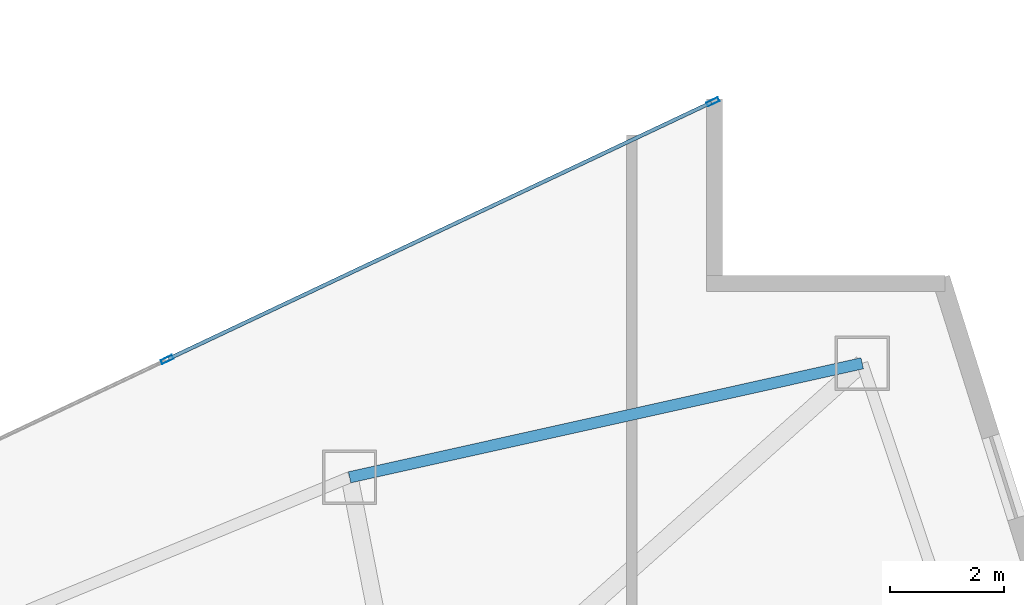
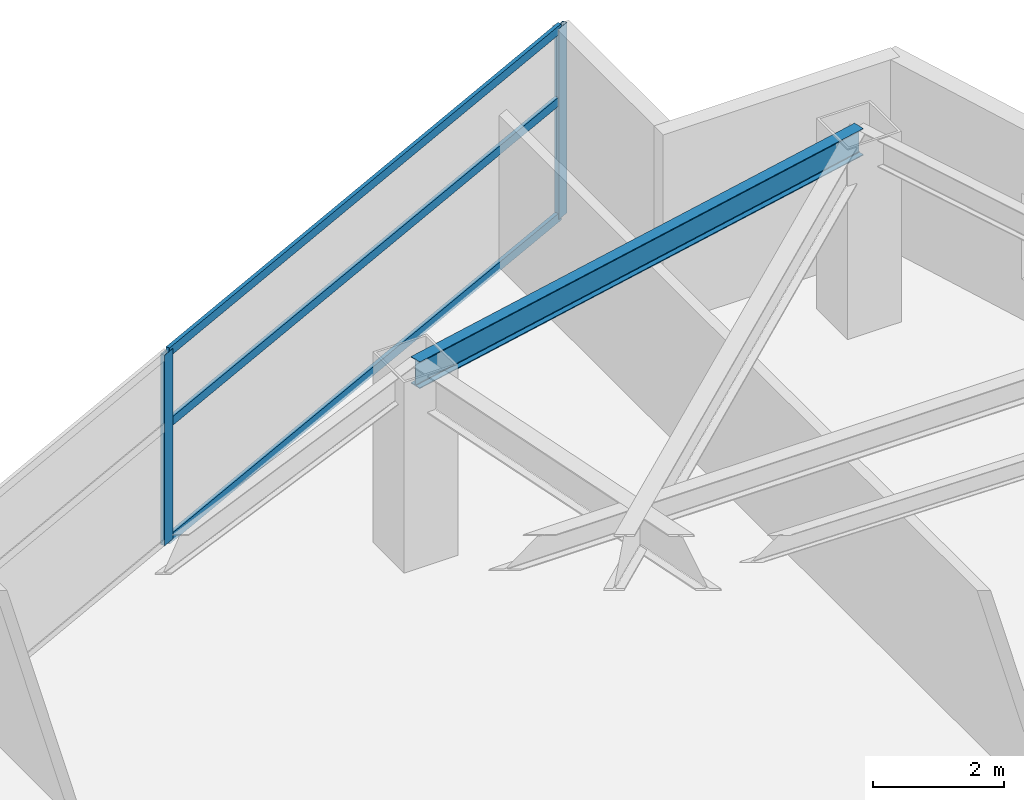
# One storey, part 20 of 29: 5 members, 1 beam, 1 element without a shape of its own.
"""IFC4 building model written with IfcOpenShell, lengths in metres."""

from ifc_helpers import new_model, si_unit, direction, frame, origin, origin_2d, place, context, subcontext, project, spatial, hollow_rectangle, i_section, extrude, material, layer, layer_set, material_profile, profile_set, type_object, element, aggregate, save


model = new_model("IFC4")

# Units and contexts
model_context = context("Model", 3, precision=1e-05, world=origin(), true_north=direction((0.0, 1.0)))
body_context = subcontext(model_context, "Body", "Model", "MODEL_VIEW")
ifc_project = project(units=[si_unit("LENGTHUNIT", "METRE"), si_unit("AREAUNIT", "SQUARE_METRE"), si_unit("VOLUMEUNIT", "CUBIC_METRE"), si_unit("PLANEANGLEUNIT", "RADIAN"), si_unit("MASSUNIT", "GRAM", prefix="KILO")], contexts=[model_context])

# Site, building, storey
site_placement = place(None, origin())
site = spatial("IfcSite", under=ifc_project, at=site_placement, CompositionType="ELEMENT")
building_placement = place(site_placement, origin())
building = spatial("IfcBuilding", under=site, at=building_placement, Name="Calvorn Quay Hotel", CompositionType="ELEMENT")
storey_placement = place(building_placement, frame((0.0, 0.0, 66.0)))
storey = spatial("IfcBuildingStorey", under=building, at=storey_placement, Name="L15", CompositionType="ELEMENT", Elevation=66.0)

# Beam
ifc_material_1 = material(Name="Steel Q355B", Category="steel")
ifc_material_profile_1 = material_profile(ifc_material_1, i_section(OverallWidth=0.199951171875, OverallDepth=0.5, WebThickness=0.010009765625, FlangeThickness=0.01611328125, FilletRadius=0.01611328125, at=origin_2d()), Name="HN500x200x10x16")
ifc_profile_set_1 = profile_set([ifc_material_profile_1], Name="Steel Q355B")
beam_type = type_object("IfcBeamType", Name="BM-SPANDREL-Z1", PredefinedType="SPANDREL", material=ifc_profile_set_1)
beam_placement = place(storey_placement, frame((52.990966796875, 33.39990234375, 3.2900390625), z_axis=(-0.976140886259, -0.217138136156, 0.0), x_axis=(0.217138136156, -0.976140886259, 0.0)))
element("IfcBeam", 1, at=beam_placement, inside=storey, type_object=beam_type, Name="Beam BSP-L15-E3", PredefinedType="SPANDREL", context=body_context, shape_type="SweptSolid", body=[
    extrude(i_section(OverallWidth=0.199951171875, OverallDepth=0.5, WebThickness=0.010009765625, FlangeThickness=0.01611328125, FilletRadius=0.01611328125, at=origin_2d()), origin(), (0.0, 0.0, 1.0), 9.210693359375),
])

# Curtain wall, members
ifc_material_2 = material(Name="Pale Anodised Aluminium and Low-E Glass", Category="aluminium")
ifc_layer = layer(ifc_material_2, 0.219970703125)
ifc_layer_set = layer_set([ifc_layer], Name="CW-SYS-Z1")
curtain_wall_type = type_object("IfcCurtainWallType", Name="CW-SYS-Z1", PredefinedType="NOTDEFINED", material=ifc_layer_set)
curtain_wall_placement = place(storey_placement, origin())
curtain_wall = element("IfcCurtainWall", 2, at=curtain_wall_placement, inside=storey, type_object=curtain_wall_type, Name="Inner Court Curtain Wall L15-NE1", PredefinedType="NOTDEFINED")
ifc_material_3 = material(Name="Pale Anodised Aluminium 6063-T6", Category="aluminium")
ifc_material_profile_2 = material_profile(ifc_material_3, hollow_rectangle(XDim=0.074951171875, YDim=0.219970703125, WallThickness=0.00439453125, at=origin_2d()), Name="ALU-M220x75x4.5")
ifc_profile_set_2 = profile_set([ifc_material_profile_2], Name="Pale Anodised Aluminium 6063-T6")
member_type_1 = type_object("IfcMemberType", Name="CW-SYS-Z1-MUL", PredefinedType="MULLION", material=ifc_profile_set_2)
member_1_placement = place(storey_placement, frame((50.372802734375, 37.9873046875, 0.0), z_axis=(0.0, 0.0, 1.0), x_axis=(0.427006305415, -0.904248646743, 0.0)))
member_1 = element("IfcMember", 3, at=member_1_placement, type_object=member_type_1, Name="CW-L15-NE1 mullion 1", PredefinedType="MULLION", context=body_context, shape_type="SweptSolid", body=[
    extrude(hollow_rectangle(XDim=0.074951171875, YDim=0.219970703125, WallThickness=0.00439453125, at=origin_2d()), origin(), (0.0, 0.0, 1.0), 3.56005859375),
])
member_2_placement = place(storey_placement, frame((40.800048828125, 33.466552734375, 0.0), z_axis=(0.0, 0.0, 1.0), x_axis=(0.427006305415, -0.904248646743, 0.0)))
member_2 = element("IfcMember", 4, at=member_2_placement, type_object=member_type_1, Name="CW-L15-NE1 mullion 2", PredefinedType="MULLION", context=body_context, shape_type="SweptSolid", body=[
    extrude(hollow_rectangle(XDim=0.074951171875, YDim=0.219970703125, WallThickness=0.00439453125, at=origin_2d()), origin(), (0.0, 0.0, 1.0), 3.56005859375),
])
ifc_material_4 = material(Name="Pale Anodised Aluminium 6063-T6", Category="aluminium")
ifc_material_profile_3 = material_profile(ifc_material_4, hollow_rectangle(XDim=0.06494140625, YDim=0.1650390625, WallThickness=0.00341796875, at=origin_2d()), Name="ALU-T165x65x3.5")
ifc_profile_set_3 = profile_set([ifc_material_profile_3], Name="Pale Anodised Aluminium 6063-T6")
member_type_2 = type_object("IfcMemberType", Name="CW-SYS-Z1-TRN", PredefinedType="USERDEFINED", material=ifc_profile_set_3)
member_3_placement = place(storey_placement, frame((50.345703125, 37.974365234375, 0.030029296875), z_axis=(-0.904248646746, -0.427006305408, 0.0), x_axis=(0.427006305408, -0.904248646746, 0.0)))
member_3 = element("IfcMember", 5, at=member_3_placement, type_object=member_type_2, Name="CW-L15-NE1 transom 1.1", ObjectType="TRANSOM", PredefinedType="USERDEFINED", context=body_context, shape_type="SweptSolid", body=[
    extrude(hollow_rectangle(XDim=0.06494140625, YDim=0.1650390625, WallThickness=0.00341796875, at=origin_2d()), origin(), (0.0, 0.0, 1.0), 10.5263671875),
])
member_4_placement = place(storey_placement, frame((50.345703125, 37.974365234375, 2.199951171875), z_axis=(-0.904248646746, -0.427006305408, 0.0), x_axis=(0.427006305408, -0.904248646746, 0.0)))
member_4 = element("IfcMember", 6, at=member_4_placement, type_object=member_type_2, Name="CW-L15-NE1 transom 1.2", ObjectType="TRANSOM", PredefinedType="USERDEFINED", context=body_context, shape_type="SweptSolid", body=[
    extrude(hollow_rectangle(XDim=0.06494140625, YDim=0.1650390625, WallThickness=0.00341796875, at=origin_2d()), origin(), (0.0, 0.0, 1.0), 10.5263671875),
])
member_5_placement = place(storey_placement, frame((50.345703125, 37.974365234375, 3.530029296875), z_axis=(-0.904248646746, -0.427006305408, 0.0), x_axis=(0.427006305408, -0.904248646746, 0.0)))
member_5 = element("IfcMember", 7, at=member_5_placement, type_object=member_type_2, Name="CW-L15-NE1 transom 1.3", ObjectType="TRANSOM", PredefinedType="USERDEFINED", context=body_context, shape_type="SweptSolid", body=[
    extrude(hollow_rectangle(XDim=0.06494140625, YDim=0.1650390625, WallThickness=0.00341796875, at=origin_2d()), origin(), (0.0, 0.0, 1.0), 10.5263671875),
])
aggregate(curtain_wall, [member_1, member_2, member_3, member_4, member_5])

save(model, "model.ifc")
